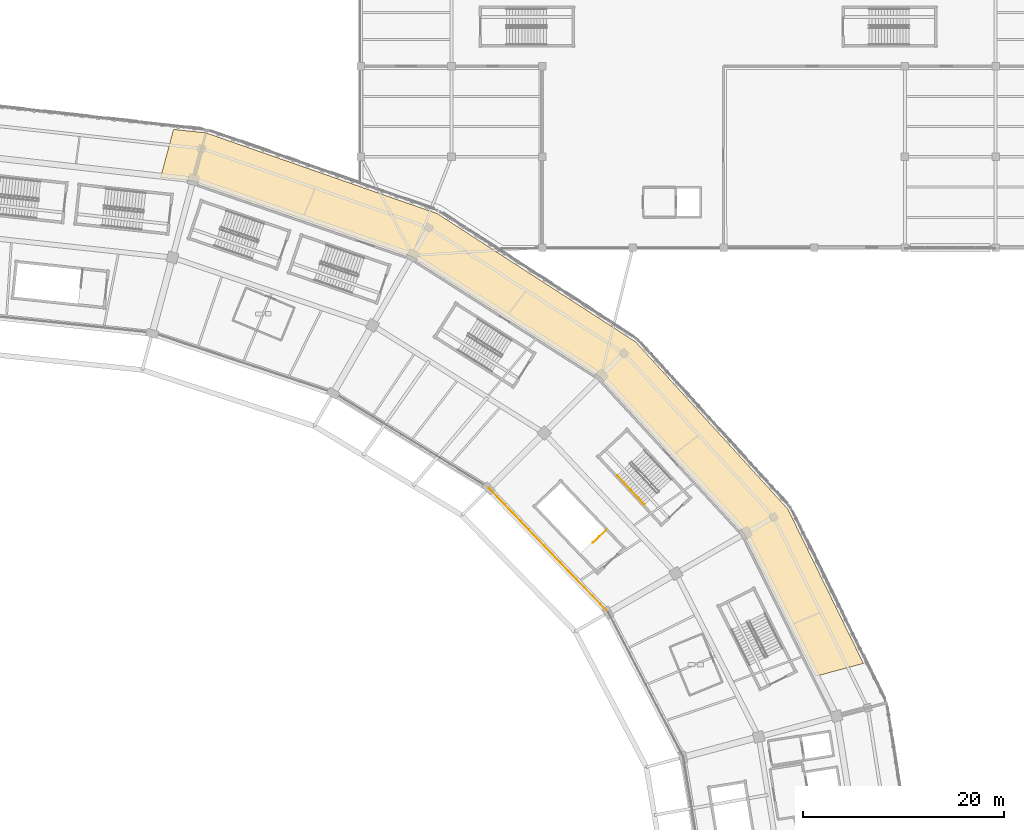
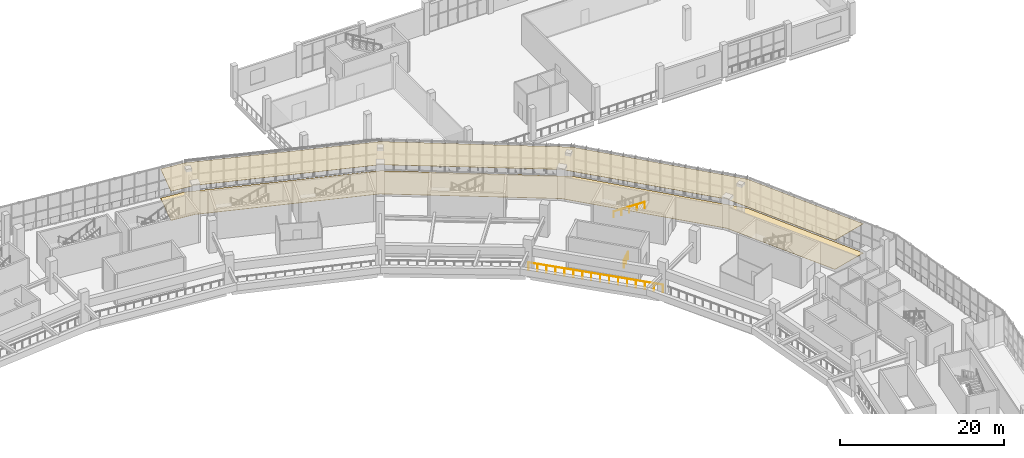
# One storey, part 171 of 179: 3 railings, 2 coverings.
"""IFC4 building model written with IfcOpenShell, lengths in metres."""

from ifc_helpers import new_model, si_unit, direction, frame, origin, origin_2d, place, context, subcontext, project, spatial, polyline, circle, outline, extrude, material, layer, layer_set, type_object, element, save


model = new_model("IFC4")

# Units and contexts
model_context = context("Model", 3, precision=1e-05, world=origin(), true_north=direction((0.0, 1.0)))
body_context = subcontext(model_context, "Body", "Model", "MODEL_VIEW")
ifc_project = project(units=[si_unit("LENGTHUNIT", "METRE"), si_unit("AREAUNIT", "SQUARE_METRE"), si_unit("VOLUMEUNIT", "CUBIC_METRE"), si_unit("PLANEANGLEUNIT", "RADIAN"), si_unit("MASSUNIT", "GRAM", prefix="KILO")], contexts=[model_context])

# Site, building, storey
site_placement = place(None, origin())
site = spatial("IfcSite", under=ifc_project, at=site_placement, CompositionType="ELEMENT")
building_placement = place(site_placement, origin())
building = spatial("IfcBuilding", under=site, at=building_placement, Name="Zevraka Park Crest Stadium", CompositionType="ELEMENT")
storey_placement = place(building_placement, frame((0.0, 0.0, 10.199951171875)))
storey = spatial("IfcBuildingStorey", under=building, at=storey_placement, Name="L02", CompositionType="ELEMENT", Elevation=10.199951171875)

# Coverings
ifc_material_1 = material(Name="Perforated acoustic mineral-fibre suspended ceiling", Category="other")
ifc_layer_1 = layer(ifc_material_1, 0.02490234375)
ifc_layer_set_1 = layer_set([ifc_layer_1], Name="Perforated acoustic mineral-fibre suspended ceiling")
covering_type_1 = type_object("IfcCoveringType", Name="CLG01", PredefinedType="CEILING", material=ifc_layer_set_1)
covering_1_placement = place(storey_placement, frame((0.0, 0.0, 4.360107421875)))
element("IfcCovering", 1, at=covering_1_placement, inside=storey, type_object=covering_type_1, Name="Acoustic Ceiling East Club Dining Lounge L02-036", PredefinedType="CEILING", context=body_context, shape_type="SweptSolid", body=[
    extrude(outline(polyline([(136.6279296875, 169.385009765625), (159.5810546875, 161.37109375), (179.280029296875, 148.6298828125), (194.385986328125, 132.034912109375), (201.885986328125, 116.720947265625), (197.114990234375, 115.43408203125), (190.0869140625, 129.569091796875), (190.077880859375, 129.5859375), (190.06689453125, 129.60107421875), (190.054931640625, 129.614990234375), (175.757080078125, 145.139892578125), (175.7451171875, 145.153076171875), (175.73193359375, 145.1640625), (175.718017578125, 145.174072265625), (157.087890625, 157.0859375), (157.06689453125, 157.096923828125), (157.044921875, 157.10595703125), (135.34912109375, 164.594970703125), (135.327880859375, 164.60107421875), (135.305908203125, 164.60498046875), (132.1201171875, 164.962890625), (133.404052734375, 169.72802734375), (136.6279296875, 169.385009765625)])), origin(), (0.0, 0.0, 1.0), 0.02490234375),
])
ifc_material_2 = material(Name="Honed terrazzo and slip-resistant sports flooring", Category="other")
ifc_layer_2 = layer(ifc_material_2, 0.0400390625)
ifc_layer_set_2 = layer_set([ifc_layer_2], Name="Honed terrazzo and slip-resistant sports flooring")
covering_type_2 = type_object("IfcCoveringType", Name="FLR01", PredefinedType="FLOORING", material=ifc_layer_set_2)
covering_2_placement = place(storey_placement, origin())
element("IfcCovering", 2, at=covering_2_placement, inside=storey, type_object=covering_type_2, Name="Terrazzo Floor Finish East Club Dining Lounge L02-036", PredefinedType="FLOORING", context=body_context, shape_type="SweptSolid", body=[
    extrude(outline(polyline([(136.6279296875, 169.385009765625), (159.5810546875, 161.37109375), (179.280029296875, 148.6298828125), (194.385986328125, 132.034912109375), (201.885986328125, 116.720947265625), (197.114990234375, 115.43408203125), (190.0869140625, 129.569091796875), (190.077880859375, 129.5859375), (190.06689453125, 129.60107421875), (190.054931640625, 129.614990234375), (175.757080078125, 145.139892578125), (175.7451171875, 145.153076171875), (175.73193359375, 145.1640625), (175.718017578125, 145.174072265625), (157.087890625, 157.0859375), (157.06689453125, 157.096923828125), (157.044921875, 157.10595703125), (135.34912109375, 164.594970703125), (135.327880859375, 164.60107421875), (135.305908203125, 164.60498046875), (132.1201171875, 164.962890625), (133.404052734375, 169.72802734375), (136.6279296875, 169.385009765625)])), origin(), (0.0, 0.0, 1.0), 0.0400390625),
])

# Railings
ifc_material_3 = material(Name="Galvanised and bronze-finished steel balustrade", Category="steel")
railing_type_1 = type_object("IfcRailingType", Name="GR01", PredefinedType="GUARDRAIL", material=ifc_material_3)
railing_1_placement = place(storey_placement, frame((176.570068359375, 121.798095703125, 0.0)))
element("IfcRailing", 3, at=railing_1_placement, inside=storey, type_object=railing_type_1, Name="Deck Edge Protection Guardrail GR01 L02-65", PredefinedType="GUARDRAIL", context=body_context, shape_type="SweptSolid", body=[
    extrude(circle(Radius=0.02392578125, at=origin_2d()), frame((0.0, 0.0, 1.076171875), z_axis=(-0.692883005773, 0.72105002622, 0.0), x_axis=(-0.72105002622, -0.692883005773, 0.0)), (0.0, 0.0, 1.0), 17.10107421875),
    extrude(circle(Radius=0.02099609375, at=origin_2d()), origin(), (0.0, 0.0, 1.0), 1.052001953125),
    extrude(circle(Radius=0.02099609375, at=origin_2d()), frame((-0.7900390625, 0.822021484375, 0.0)), (0.0, 0.0, 1.0), 1.052001953125),
    extrude(circle(Radius=0.02099609375, at=origin_2d()), frame((-1.579833984375, 1.64404296875, 0.0)), (0.0, 0.0, 1.0), 1.052001953125),
    extrude(circle(Radius=0.02099609375, at=origin_2d()), frame((-2.369873046875, 2.466064453125, 0.0)), (0.0, 0.0, 1.0), 1.052001953125),
    extrude(circle(Radius=0.02099609375, at=origin_2d()), frame((-3.15966796875, 3.288330078125, 0.0)), (0.0, 0.0, 1.0), 1.052001953125),
    extrude(circle(Radius=0.02099609375, at=origin_2d()), frame((-3.94970703125, 4.1103515625, 0.0)), (0.0, 0.0, 1.0), 1.052001953125),
    extrude(circle(Radius=0.02099609375, at=origin_2d()), frame((-4.73974609375, 4.932373046875, 0.0)), (0.0, 0.0, 1.0), 1.052001953125),
    extrude(circle(Radius=0.02099609375, at=origin_2d()), frame((-5.529541015625, 5.75439453125, 0.0)), (0.0, 0.0, 1.0), 1.052001953125),
    extrude(circle(Radius=0.02099609375, at=origin_2d()), frame((-6.319580078125, 6.576416015625, 0.0)), (0.0, 0.0, 1.0), 1.052001953125),
    extrude(circle(Radius=0.02099609375, at=origin_2d()), frame((-7.109375, 7.3984375, 0.0)), (0.0, 0.0, 1.0), 1.052001953125),
    extrude(circle(Radius=0.02099609375, at=origin_2d()), frame((-7.8994140625, 8.220458984375, 0.0)), (0.0, 0.0, 1.0), 1.052001953125),
    extrude(circle(Radius=0.02099609375, at=origin_2d()), frame((-8.689453125, 9.04248046875, 0.0)), (0.0, 0.0, 1.0), 1.052001953125),
    extrude(circle(Radius=0.02099609375, at=origin_2d()), frame((-9.479248046875, 9.86474609375, 0.0)), (0.0, 0.0, 1.0), 1.052001953125),
    extrude(circle(Radius=0.02099609375, at=origin_2d()), frame((-10.269287109375, 10.686767578125, 0.0)), (0.0, 0.0, 1.0), 1.052001953125),
    extrude(circle(Radius=0.02099609375, at=origin_2d()), frame((-11.05908203125, 11.5087890625, 0.0)), (0.0, 0.0, 1.0), 1.052001953125),
    extrude(circle(Radius=0.02099609375, at=origin_2d()), frame((-11.84912109375, 12.330810546875, 0.0)), (0.0, 0.0, 1.0), 1.052001953125),
])
ifc_material_4 = material(Name="Powder-coated tubular steel stairwell guard", Category="steel")
railing_type_2 = type_object("IfcRailingType", Name="GR03", PredefinedType="GUARDRAIL", material=ifc_material_4)
railing_2_placement = place(storey_placement, frame((176.35009765625, 129.950927734375, 0.0)))
element("IfcRailing", 4, at=railing_2_placement, inside=storey, type_object=railing_type_2, Name="L02 ST34 top well guard 1", PredefinedType="GUARDRAIL", context=body_context, shape_type="SweptSolid", body=[
    extrude(circle(Radius=0.02392578125, at=origin_2d()), frame((0.0, 0.0, 1.076171875), z_axis=(-0.725410162473, -0.6883168574, 0.0), x_axis=(0.6883168574, -0.725410162473, 0.0)), (0.0, 0.0, 1.0), 1.81005859375),
    extrude(circle(Radius=0.02099609375, at=origin_2d()), origin(), (0.0, 0.0, 1.0), 1.052001953125),
    extrude(circle(Radius=0.02099609375, at=origin_2d()), frame((-0.656494140625, -0.623046875, 0.0)), (0.0, 0.0, 1.0), 1.052001953125),
    extrude(circle(Radius=0.02099609375, at=origin_2d()), frame((-1.31298828125, -1.245849609375, 0.0)), (0.0, 0.0, 1.0), 1.052001953125),
])
ifc_material_5 = material(Name="Brushed stainless steel continuous handrail", Category="steel")
railing_type_3 = type_object("IfcRailingType", Name="HR01", PredefinedType="HANDRAIL", material=ifc_material_5)
railing_3_placement = place(storey_placement, frame((177.455810546875, 135.390869140625, 2.571533203125)))
element("IfcRailing", 5, at=railing_3_placement, inside=storey, type_object=railing_type_3, Name="L02 ST03 stair handrail 2", PredefinedType="HANDRAIL", context=body_context, shape_type="SweptSolid", body=[
    extrude(circle(Radius=0.02392578125, at=origin_2d()), frame((0.0, 0.0, 0.8759765625), z_axis=(0.593016024023, -0.638962957094, 0.489957482557), x_axis=(0.732968909084, 0.680262139412, 0.0)), (0.0, 0.0, 1.0), 4.54833984375),
    extrude(circle(Radius=0.02099609375, at=origin_2d()), origin(), (0.0, 0.0, 1.0), 0.851806640625),
    extrude(circle(Radius=0.02099609375, at=origin_2d()), frame((0.67431640625, -0.7265625, 0.55712890625)), (0.0, 0.0, 1.0), 0.851806640625),
    extrude(circle(Radius=0.02099609375, at=origin_2d()), frame((1.3486328125, -1.453125, 1.1142578125)), (0.0, 0.0, 1.0), 0.851806640625),
    extrude(circle(Radius=0.02099609375, at=origin_2d()), frame((2.02294921875, -2.1796875, 1.67138671875)), (0.0, 0.0, 1.0), 0.851806640625),
    extrude(circle(Radius=0.02099609375, at=origin_2d()), frame((2.697265625, -2.90625, 2.228515625)), (0.0, 0.0, 1.0), 0.851806640625),
])

save(model, "model.ifc")
